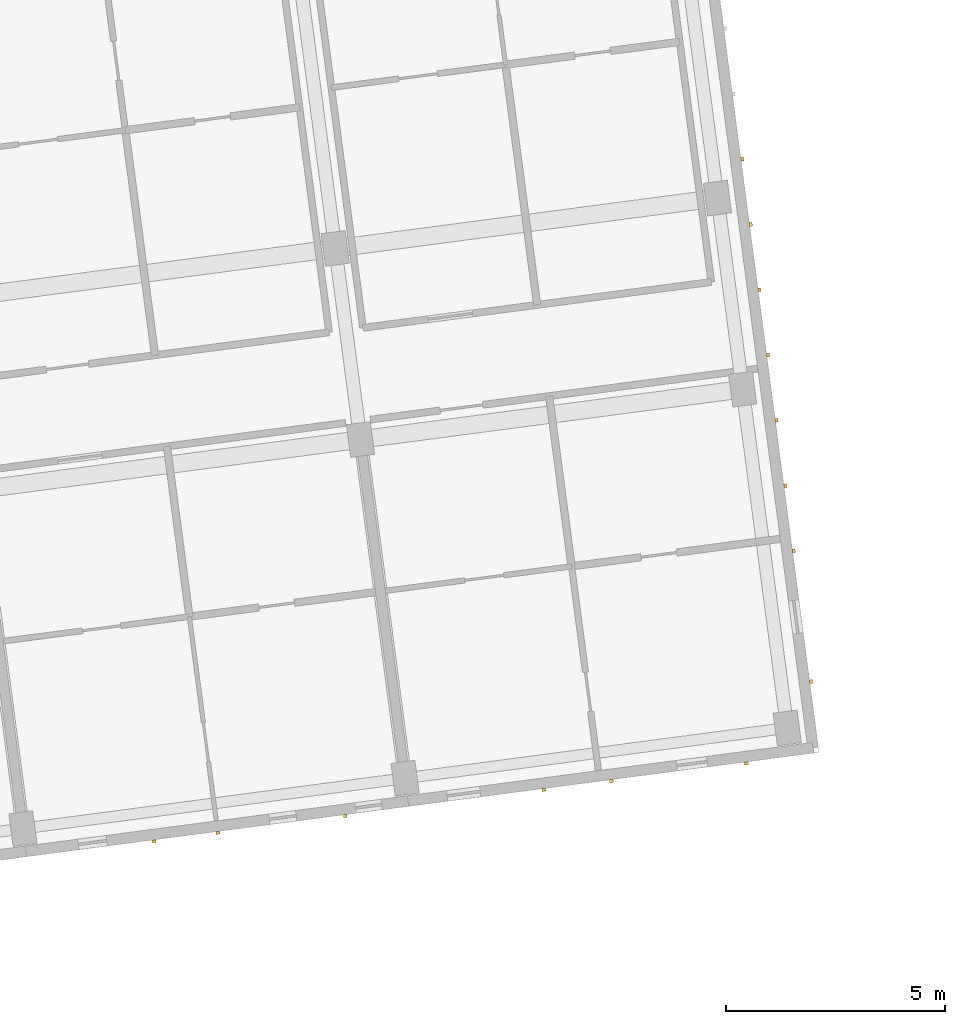
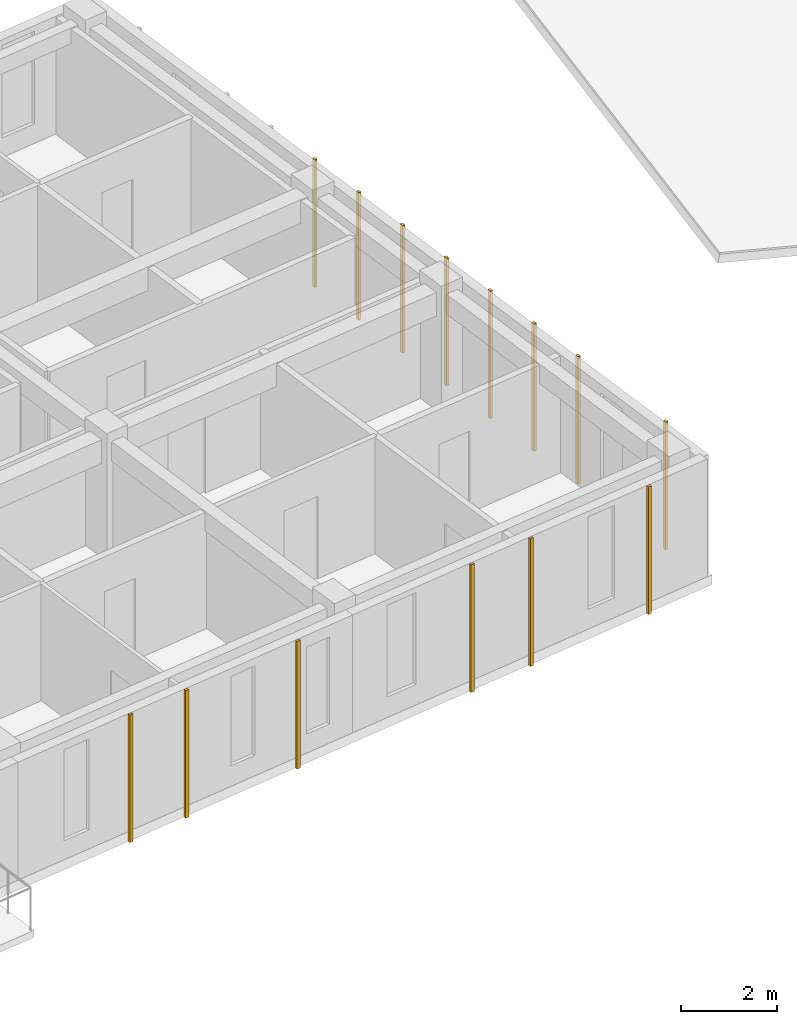
# One storey, part 58 of 74: 14 coverings.
"""IFC4 building model written with IfcOpenShell, lengths in metres."""

from ifc_helpers import new_model, si_unit, direction, frame, origin, origin_2d, place, context, subcontext, project, spatial, rectangle, extrude, material, layer, layer_set, type_object, element, save


model = new_model("IFC4")

# Units and contexts
model_context = context("Model", 3, precision=1e-05, world=origin(), true_north=direction((0.0, 1.0)))
body_context = subcontext(model_context, "Body", "Model", "MODEL_VIEW")
ifc_project = project(units=[si_unit("LENGTHUNIT", "METRE"), si_unit("AREAUNIT", "SQUARE_METRE"), si_unit("VOLUMEUNIT", "CUBIC_METRE"), si_unit("PLANEANGLEUNIT", "RADIAN"), si_unit("MASSUNIT", "GRAM", prefix="KILO")], contexts=[model_context])

# Site, building, storey
site_placement = place(None, origin())
site = spatial("IfcSite", under=ifc_project, at=site_placement, CompositionType="ELEMENT")
building_placement = place(site_placement, origin())
building = spatial("IfcBuilding", under=site, at=building_placement, Name="Kestramere Prow Commons", CompositionType="ELEMENT")
storey_placement = place(building_placement, frame((0.0, 0.0, 11.64990234375)))
storey = spatial("IfcBuildingStorey", under=building, at=storey_placement, Name="L03", CompositionType="ELEMENT", Elevation=11.64990234375)

# Coverings
ifc_material = material(Name="Weathered Zinc-Titanium Standing-Seam Cladding")
ifc_layer = layer(ifc_material, 0.074951171875)
ifc_layer_set = layer_set([ifc_layer], Name="Weathered Zinc-Titanium Standing-Seam Cladding")
covering_type = type_object("IfcCoveringType", Name="COV-CLAD-SEAM", PredefinedType="CLADDING", material=ifc_layer_set)
for number, where, z_axis, x_axis, name in (
    (1, (53.4580078125, 76.880126953125, -0.25), (0.0, 0.0, 1.0), (-0.991444861374, -0.13052619222, 0.0), "EW-A-L03-S-4 Standing-Seam Rib 1"),
    (2, (50.549560546875, 76.4970703125, -0.25), (0.0, 0.0, 1.0), (-0.991444861374, -0.13052619222, 0.0), "EW-A-L03-S-4 Standing-Seam Rib 3"),
    (3, (49.095458984375, 76.3056640625, -0.25), (0.0, 0.0, 1.0), (-0.991444861374, -0.13052619222, 0.0), "EW-A-L03-S-4 Standing-Seam Rib 4"),
    (4, (62.616455078125, 78.085693359375, -0.25), (0.0, 0.0, 1.0), (-0.991444861374, -0.13052619222, 0.0), "EW-A-L03-S-5 Standing-Seam Rib 1"),
    (5, (59.53466796875, 77.679931640625, -0.25), (0.0, 0.0, 1.0), (-0.991444861374, -0.13052619222, 0.0), "EW-A-L03-S-5 Standing-Seam Rib 3"),
    (6, (57.99365234375, 77.47705078125, -0.25), (0.0, 0.0, 1.0), (-0.991444861374, -0.13052619222, 0.0), "EW-A-L03-S-5 Standing-Seam Rib 4"),
    (7, (62.522216796875, 91.8759765625, -0.25), (0.0, 0.0, 1.0), (0.13052619222, -0.991444861374, 0.0), "EW-A-L03-EAV Standing-Seam Rib 5"),
    (8, (62.718505859375, 90.38525390625, -0.25), (0.0, 0.0, 1.0), (0.13052619222, -0.991444861374, 0.0), "EW-A-L03-EAV Standing-Seam Rib 6"),
    (9, (62.914794921875, 88.894775390625, -0.25), (0.0, 0.0, 1.0), (0.13052619222, -0.991444861374, 0.0), "EW-A-L03-EAV Standing-Seam Rib 7"),
    (10, (63.111083984375, 87.404052734375, -0.25), (0.0, 0.0, 1.0), (0.13052619222, -0.991444861374, 0.0), "EW-A-L03-EAV Standing-Seam Rib 8"),
    (11, (63.30712890625, 85.913330078125, -0.25), (0.0, 0.0, 1.0), (0.13052619222, -0.991444861374, 0.0), "EW-A-L03-EAV Standing-Seam Rib 9"),
    (12, (63.50341796875, 84.422607421875, -0.25), (0.0, 0.0, 1.0), (0.13052619222, -0.991444861374, 0.0), "EW-A-L03-EAV Standing-Seam Rib 10"),
    (13, (63.69970703125, 82.931884765625, -0.25), (0.0, 0.0, 1.0), (0.13052619222, -0.991444861374, 0.0), "EW-A-L03-EAV Standing-Seam Rib 11"),
    (14, (64.09228515625, 79.950439453125, -0.25), (0.0, 0.0, 1.0), (0.13052619222, -0.991444861374, 0.0), "EW-A-L03-EAV Standing-Seam Rib 13"),
):
    element("IfcCovering", number, at=place(storey_placement, frame(where, z_axis=z_axis, x_axis=x_axis)), inside=storey, type_object=covering_type, Name=name, PredefinedType="CLADDING", context=body_context, shape_type="SweptSolid", body=[
        extrude(rectangle(XDim=0.0849609375, YDim=0.06494140625, at=origin_2d()), origin(), (0.0, 0.0, 1.0), 3.25),
    ])

save(model, "model.ifc")
